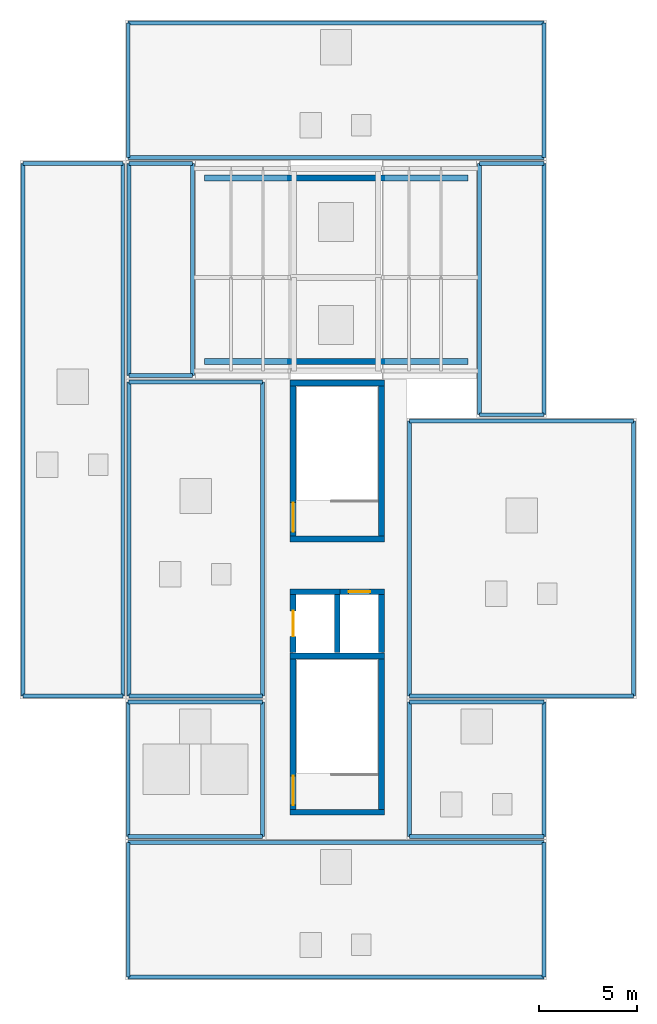
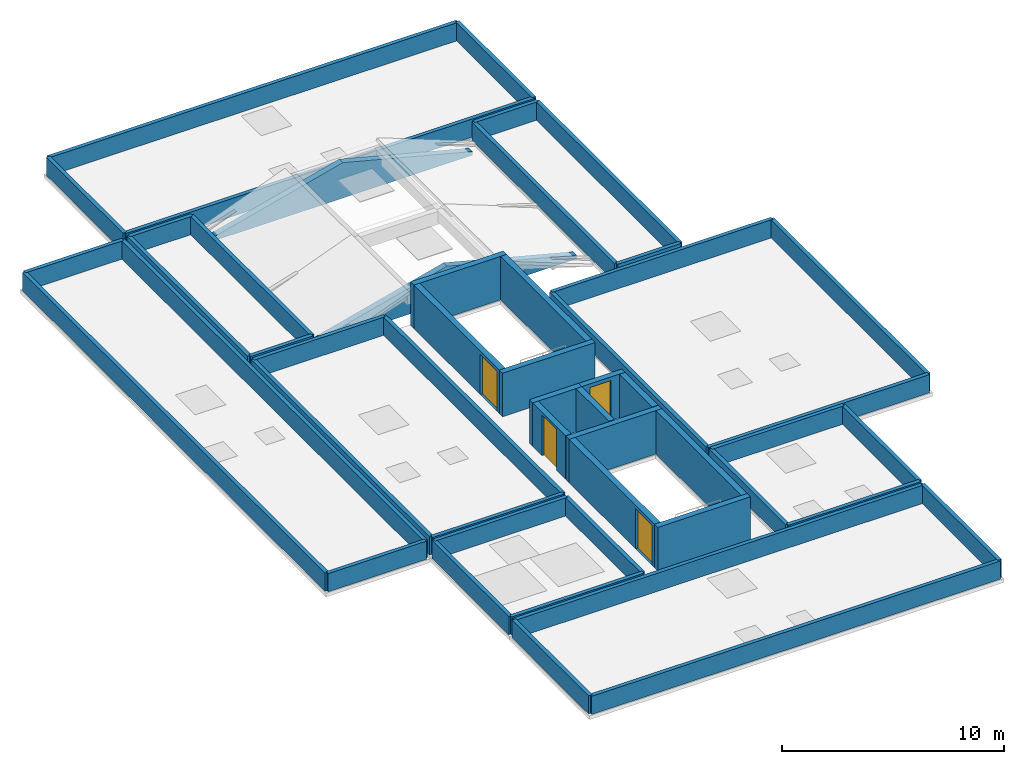
# One storey, part 4 of 5: 51 walls, 4 doors, 4 openings.
"""IFC4 building model written with IfcOpenShell, lengths in metres."""

from ifc_helpers import new_model, si_unit, direction, frame, frame_2d, origin, place, context, subcontext, project, spatial, polyline, rectangle, outline, extrude, material, layer, layer_set, type_object, element, fill, save


model = new_model("IFC4")

# Units and contexts
model_context = context("Model", 3, precision=1e-05, world=origin(), true_north=direction((0.0, 1.0)))
body_context = subcontext(model_context, "Body", "Model", "MODEL_VIEW")
ifc_project = project(units=[si_unit("LENGTHUNIT", "METRE"), si_unit("AREAUNIT", "SQUARE_METRE"), si_unit("VOLUMEUNIT", "CUBIC_METRE"), si_unit("PLANEANGLEUNIT", "RADIAN"), si_unit("MASSUNIT", "GRAM", prefix="KILO")], contexts=[model_context])

# Site, building, storey
site_placement = place(None, origin())
site = spatial("IfcSite", under=ifc_project, at=site_placement, CompositionType="ELEMENT")
building_placement = place(site_placement, origin())
building = spatial("IfcBuilding", under=site, at=building_placement, Name="Alvorim Cloister Faculty of Sciences", CompositionType="ELEMENT")
storey_placement = place(building_placement, frame((0.0, 0.0, 33.300048828125)))
storey = spatial("IfcBuildingStorey", under=building, at=storey_placement, Name="RF", CompositionType="ELEMENT", Elevation=33.300048828125)

# Walls
ifc_material_1 = material(Name="Precast Concrete C40", Category="concrete")
ifc_layer_1 = layer(ifc_material_1, 0.320068359375)
ifc_layer_set_1 = layer_set([ifc_layer_1], Name="Precast Concrete C40")
wall_type_1 = type_object("IfcWallType", Name="WL-EXT-PC-320", PredefinedType="SOLIDWALL", material=ifc_layer_set_1)
for number, where, z_axis, x_axis, name in (
    (1, (11.25, 38.89990234375, 0.0), (0.0, 0.0, 1.0), (1.0, 0.0, 0.0), "Research Crown South Gothic Gable Tympanum WL-GBL-0250"),
    (2, (11.25, 48.300048828125, 0.0), (0.0, 0.0, 1.0), (1.0, 0.0, 0.0), "Research Crown North Gothic Gable Tympanum WL-GBL-0251"),
):
    element("IfcWall", number, at=place(storey_placement, frame(where, z_axis=z_axis, x_axis=x_axis)), inside=storey, type_object=wall_type_1, Name=name, PredefinedType="SOLIDWALL", context=body_context, shape_type="SweptSolid", body=[
        extrude(outline(polyline([(0.0, 0.0), (13.5, 0.0), (13.5, 0.199951171875), (6.75, 1.953125), (0.0, 0.199951171875), (0.0, 0.0)])), frame((0.0, 0.16015625, 0.0), z_axis=(0.0, -1.0, 0.0), x_axis=(1.0, 0.0, 0.0)), (0.0, 0.0, 1.0), 0.320068359375),
    ])
ifc_layer_2 = layer(ifc_material_1, 0.199951171875)
ifc_layer_set_2 = layer_set([ifc_layer_2], Name="Precast Concrete C40")
wall_type_2 = type_object("IfcWallType", Name="WL-PAR-200", PredefinedType="PARAPET", material=ifc_layer_set_2)
wall_1_placement = place(storey_placement, frame((28.64990234375, 7.35009765625, 0.099853515625), z_axis=(0.0, 0.0, 1.0), x_axis=(0.0, 1.0, 0.0)))
element("IfcWall", 3, at=wall_1_placement, inside=storey, type_object=wall_type_2, Name="RF-V5S Roof Parapet WL-PAR-0267", PredefinedType="PARAPET", context=body_context, shape_type="SweptSolid", body=[
    extrude(rectangle(XDim=6.89990234375, YDim=0.199951171875, at=frame_2d((3.449951171875, 0.0))), origin(), (0.0, 0.0, 1.0), 1.0),
])
wall_2_placement = place(storey_placement, frame((28.64990234375, 14.25, 0.099853515625), z_axis=(0.0, 0.0, 1.0), x_axis=(-1.0, 0.0, 0.0)))
element("IfcWall", 4, at=wall_2_placement, inside=storey, type_object=wall_type_2, Name="RF-V5S Roof Parapet WL-PAR-0268", PredefinedType="PARAPET", context=body_context, shape_type="SweptSolid", body=[
    extrude(rectangle(XDim=21.2998046875, YDim=0.199951171875, at=frame_2d((10.64990234375, 0.0))), origin(), (0.0, 0.0, 1.0), 1.0),
])
wall_3_placement = place(storey_placement, frame((7.35009765625, 14.25, 0.099853515625), z_axis=(0.0, 0.0, 1.0), x_axis=(0.0, -1.0, 0.0)))
element("IfcWall", 5, at=wall_3_placement, inside=storey, type_object=wall_type_2, Name="RF-V5S Roof Parapet WL-PAR-0269", PredefinedType="PARAPET", context=body_context, shape_type="SweptSolid", body=[
    extrude(rectangle(XDim=6.89990234375, YDim=0.199951171875, at=frame_2d((3.449951171875, 0.0))), origin(), (0.0, 0.0, 1.0), 1.0),
])
wall_4_placement = place(storey_placement, frame((7.35009765625, 7.35009765625, 0.099853515625), z_axis=(0.0, 0.0, 1.0), x_axis=(1.0, 0.0, 0.0)))
element("IfcWall", 6, at=wall_4_placement, inside=storey, type_object=wall_type_2, Name="RF-V5S Roof Parapet WL-PAR-0270", PredefinedType="PARAPET", context=body_context, shape_type="SweptSolid", body=[
    extrude(rectangle(XDim=21.2998046875, YDim=0.199951171875, at=frame_2d((10.64990234375, 0.0))), origin(), (0.0, 0.0, 1.0), 1.0),
])
wall_5_placement = place(storey_placement, frame((14.22998046875, 14.550048828125, 0.099853515625), z_axis=(0.0, 0.0, 1.0), x_axis=(0.0, 1.0, 0.0)))
element("IfcWall", 7, at=wall_5_placement, inside=storey, type_object=wall_type_2, Name="RF-ATR-SLOT Roof Parapet WL-PAR-0271", PredefinedType="PARAPET", context=body_context, shape_type="SweptSolid", body=[
    extrude(rectangle(XDim=6.89990234375, YDim=0.199951171875, at=frame_2d((3.449951171875, 0.0))), origin(), (0.0, 0.0, 1.0), 1.0),
])
wall_6_placement = place(storey_placement, frame((14.22998046875, 21.449951171875, 0.099853515625), z_axis=(0.0, 0.0, 1.0), x_axis=(-1.0, 0.0, 0.0)))
element("IfcWall", 8, at=wall_6_placement, inside=storey, type_object=wall_type_2, Name="RF-ATR-SLOT Roof Parapet WL-PAR-0272", PredefinedType="PARAPET", context=body_context, shape_type="SweptSolid", body=[
    extrude(rectangle(XDim=6.8798828125, YDim=0.199951171875, at=frame_2d((3.43994140625, 0.0))), origin(), (0.0, 0.0, 1.0), 1.0),
])
wall_7_placement = place(storey_placement, frame((7.35009765625, 21.449951171875, 0.099853515625), z_axis=(0.0, 0.0, 1.0), x_axis=(0.0, -1.0, 0.0)))
element("IfcWall", 9, at=wall_7_placement, inside=storey, type_object=wall_type_2, Name="RF-ATR-SLOT Roof Parapet WL-PAR-0273", PredefinedType="PARAPET", context=body_context, shape_type="SweptSolid", body=[
    extrude(rectangle(XDim=6.89990234375, YDim=0.199951171875, at=frame_2d((3.449951171875, 0.0))), origin(), (0.0, 0.0, 1.0), 1.0),
])
wall_8_placement = place(storey_placement, frame((7.35009765625, 14.550048828125, 0.099853515625), z_axis=(0.0, 0.0, 1.0), x_axis=(1.0, 0.0, 0.0)))
element("IfcWall", 10, at=wall_8_placement, inside=storey, type_object=wall_type_2, Name="RF-ATR-SLOT Roof Parapet WL-PAR-0274", PredefinedType="PARAPET", context=body_context, shape_type="SweptSolid", body=[
    extrude(rectangle(XDim=6.8798828125, YDim=0.199951171875, at=frame_2d((3.43994140625, 0.0))), origin(), (0.0, 0.0, 1.0), 1.0),
])
wall_9_placement = place(storey_placement, frame((28.64990234375, 14.550048828125, 0.099853515625), z_axis=(0.0, 0.0, 1.0), x_axis=(0.0, 1.0, 0.0)))
element("IfcWall", 11, at=wall_9_placement, inside=storey, type_object=wall_type_2, Name="RF-V5SE Roof Parapet WL-PAR-0275", PredefinedType="PARAPET", context=body_context, shape_type="SweptSolid", body=[
    extrude(rectangle(XDim=6.89990234375, YDim=0.199951171875, at=frame_2d((3.449951171875, 0.0))), origin(), (0.0, 0.0, 1.0), 1.0),
])
wall_10_placement = place(storey_placement, frame((28.64990234375, 21.449951171875, 0.099853515625), z_axis=(0.0, 0.0, 1.0), x_axis=(-1.0, 0.0, 0.0)))
element("IfcWall", 12, at=wall_10_placement, inside=storey, type_object=wall_type_2, Name="RF-V5SE Roof Parapet WL-PAR-0276", PredefinedType="PARAPET", context=body_context, shape_type="SweptSolid", body=[
    extrude(rectangle(XDim=6.8798828125, YDim=0.199951171875, at=frame_2d((3.43994140625, 0.0))), origin(), (0.0, 0.0, 1.0), 1.0),
])
wall_11_placement = place(storey_placement, frame((21.77001953125, 21.449951171875, 0.099853515625), z_axis=(0.0, 0.0, 1.0), x_axis=(0.0, -1.0, 0.0)))
element("IfcWall", 13, at=wall_11_placement, inside=storey, type_object=wall_type_2, Name="RF-V5SE Roof Parapet WL-PAR-0277", PredefinedType="PARAPET", context=body_context, shape_type="SweptSolid", body=[
    extrude(rectangle(XDim=6.89990234375, YDim=0.199951171875, at=frame_2d((3.449951171875, 0.0))), origin(), (0.0, 0.0, 1.0), 1.0),
])
wall_12_placement = place(storey_placement, frame((21.77001953125, 14.550048828125, 0.099853515625), z_axis=(0.0, 0.0, 1.0), x_axis=(1.0, 0.0, 0.0)))
element("IfcWall", 14, at=wall_12_placement, inside=storey, type_object=wall_type_2, Name="RF-V5SE Roof Parapet WL-PAR-0278", PredefinedType="PARAPET", context=body_context, shape_type="SweptSolid", body=[
    extrude(rectangle(XDim=6.8798828125, YDim=0.199951171875, at=frame_2d((3.43994140625, 0.0))), origin(), (0.0, 0.0, 1.0), 1.0),
])
wall_13_placement = place(storey_placement, frame((7.070068359375, 21.75, 0.010009765625), z_axis=(0.0, 0.0, 1.0), x_axis=(0.0, 1.0, 0.0)))
element("IfcWall", 15, at=wall_13_placement, inside=storey, type_object=wall_type_2, Name="RF-V5W Roof Parapet WL-PAR-0279", PredefinedType="PARAPET", context=body_context, shape_type="SweptSolid", body=[
    extrude(rectangle(XDim=27.300048828125, YDim=0.199951171875, at=frame_2d((13.64990234375, 0.0))), origin(), (0.0, 0.0, 1.0), 1.0),
])
wall_14_placement = place(storey_placement, frame((7.070068359375, 49.050048828125, 0.010009765625), z_axis=(0.0, 0.0, 1.0), x_axis=(-1.0, 0.0, 0.0)))
element("IfcWall", 16, at=wall_14_placement, inside=storey, type_object=wall_type_2, Name="RF-V5W Roof Parapet WL-PAR-0280", PredefinedType="PARAPET", context=body_context, shape_type="SweptSolid", body=[
    extrude(rectangle(XDim=5.1201171875, YDim=0.199951171875, at=frame_2d((2.56005859375, 0.0))), origin(), (0.0, 0.0, 1.0), 1.0),
])
wall_15_placement = place(storey_placement, frame((1.949951171875, 49.050048828125, 0.010009765625), z_axis=(0.0, 0.0, 1.0), x_axis=(0.0, -1.0, 0.0)))
element("IfcWall", 17, at=wall_15_placement, inside=storey, type_object=wall_type_2, Name="RF-V5W Roof Parapet WL-PAR-0281", PredefinedType="PARAPET", context=body_context, shape_type="SweptSolid", body=[
    extrude(rectangle(XDim=27.300048828125, YDim=0.199951171875, at=frame_2d((13.64990234375, 0.0))), origin(), (0.0, 0.0, 1.0), 1.0),
])
wall_16_placement = place(storey_placement, frame((1.949951171875, 21.75, 0.010009765625), z_axis=(0.0, 0.0, 1.0), x_axis=(1.0, 0.0, 0.0)))
element("IfcWall", 18, at=wall_16_placement, inside=storey, type_object=wall_type_2, Name="RF-V5W Roof Parapet WL-PAR-0282", PredefinedType="PARAPET", context=body_context, shape_type="SweptSolid", body=[
    extrude(rectangle(XDim=5.1201171875, YDim=0.199951171875, at=frame_2d((2.56005859375, 0.0))), origin(), (0.0, 0.0, 1.0), 1.0),
])
wall_17_placement = place(storey_placement, frame((10.64990234375, 38.169921875, 0.099853515625), z_axis=(0.0, 0.0, 1.0), x_axis=(0.0, 1.0, 0.0)))
element("IfcWall", 19, at=wall_17_placement, inside=storey, type_object=wall_type_2, Name="RF-V5WN Roof Parapet WL-PAR-0283", PredefinedType="PARAPET", context=body_context, shape_type="SweptSolid", body=[
    extrude(rectangle(XDim=10.880126953125, YDim=0.199951171875, at=frame_2d((5.43994140625, 0.0))), origin(), (0.0, 0.0, 1.0), 1.0),
])
wall_18_placement = place(storey_placement, frame((10.64990234375, 49.050048828125, 0.099853515625), z_axis=(0.0, 0.0, 1.0), x_axis=(-1.0, 0.0, 0.0)))
element("IfcWall", 20, at=wall_18_placement, inside=storey, type_object=wall_type_2, Name="RF-V5WN Roof Parapet WL-PAR-0284", PredefinedType="PARAPET", context=body_context, shape_type="SweptSolid", body=[
    extrude(rectangle(XDim=3.260009765625, YDim=0.199951171875, at=frame_2d((1.6298828125, 0.0))), origin(), (0.0, 0.0, 1.0), 1.0),
])
wall_19_placement = place(storey_placement, frame((7.389892578125, 49.050048828125, 0.099853515625), z_axis=(0.0, 0.0, 1.0), x_axis=(0.0, -1.0, 0.0)))
element("IfcWall", 21, at=wall_19_placement, inside=storey, type_object=wall_type_2, Name="RF-V5WN Roof Parapet WL-PAR-0285", PredefinedType="PARAPET", context=body_context, shape_type="SweptSolid", body=[
    extrude(rectangle(XDim=10.880126953125, YDim=0.199951171875, at=frame_2d((5.43994140625, 0.0))), origin(), (0.0, 0.0, 1.0), 1.0),
])
wall_20_placement = place(storey_placement, frame((7.389892578125, 38.169921875, 0.099853515625), z_axis=(0.0, 0.0, 1.0), x_axis=(1.0, 0.0, 0.0)))
element("IfcWall", 22, at=wall_20_placement, inside=storey, type_object=wall_type_2, Name="RF-V5WN Roof Parapet WL-PAR-0286", PredefinedType="PARAPET", context=body_context, shape_type="SweptSolid", body=[
    extrude(rectangle(XDim=3.260009765625, YDim=0.199951171875, at=frame_2d((1.6298828125, 0.0))), origin(), (0.0, 0.0, 1.0), 1.0),
])
wall_21_placement = place(storey_placement, frame((14.22998046875, 21.75, 0.099853515625), z_axis=(0.0, 0.0, 1.0), x_axis=(0.0, 1.0, 0.0)))
element("IfcWall", 23, at=wall_21_placement, inside=storey, type_object=wall_type_2, Name="RF-V5WC Roof Parapet WL-PAR-0287", PredefinedType="PARAPET", context=body_context, shape_type="SweptSolid", body=[
    extrude(rectangle(XDim=16.10009765625, YDim=0.199951171875, at=frame_2d((8.050048828125, 0.0))), origin(), (0.0, 0.0, 1.0), 1.0),
])
wall_22_placement = place(storey_placement, frame((14.22998046875, 37.85009765625, 0.099853515625), z_axis=(0.0, 0.0, 1.0), x_axis=(-1.0, 0.0, 0.0)))
element("IfcWall", 24, at=wall_22_placement, inside=storey, type_object=wall_type_2, Name="RF-V5WC Roof Parapet WL-PAR-0288", PredefinedType="PARAPET", context=body_context, shape_type="SweptSolid", body=[
    extrude(rectangle(XDim=6.840087890625, YDim=0.199951171875, at=frame_2d((3.419921875, 0.0))), origin(), (0.0, 0.0, 1.0), 1.0),
])
wall_23_placement = place(storey_placement, frame((7.389892578125, 37.85009765625, 0.099853515625), z_axis=(0.0, 0.0, 1.0), x_axis=(0.0, -1.0, 0.0)))
element("IfcWall", 25, at=wall_23_placement, inside=storey, type_object=wall_type_2, Name="RF-V5WC Roof Parapet WL-PAR-0289", PredefinedType="PARAPET", context=body_context, shape_type="SweptSolid", body=[
    extrude(rectangle(XDim=16.10009765625, YDim=0.199951171875, at=frame_2d((8.050048828125, 0.0))), origin(), (0.0, 0.0, 1.0), 1.0),
])
wall_24_placement = place(storey_placement, frame((7.389892578125, 21.75, 0.099853515625), z_axis=(0.0, 0.0, 1.0), x_axis=(1.0, 0.0, 0.0)))
element("IfcWall", 26, at=wall_24_placement, inside=storey, type_object=wall_type_2, Name="RF-V5WC Roof Parapet WL-PAR-0290", PredefinedType="PARAPET", context=body_context, shape_type="SweptSolid", body=[
    extrude(rectangle(XDim=6.840087890625, YDim=0.199951171875, at=frame_2d((3.419921875, 0.0))), origin(), (0.0, 0.0, 1.0), 1.0),
])
wall_25_placement = place(storey_placement, frame((28.64990234375, 49.35009765625, 0.099853515625), z_axis=(0.0, 0.0, 1.0), x_axis=(0.0, 1.0, 0.0)))
element("IfcWall", 27, at=wall_25_placement, inside=storey, type_object=wall_type_2, Name="RF-V5N Roof Parapet WL-PAR-0291", PredefinedType="PARAPET", context=body_context, shape_type="SweptSolid", body=[
    extrude(rectangle(XDim=6.89990234375, YDim=0.199951171875, at=frame_2d((3.449951171875, 0.0))), origin(), (0.0, 0.0, 1.0), 1.0),
])
wall_26_placement = place(storey_placement, frame((28.64990234375, 56.25, 0.099853515625), z_axis=(0.0, 0.0, 1.0), x_axis=(-1.0, 0.0, 0.0)))
element("IfcWall", 28, at=wall_26_placement, inside=storey, type_object=wall_type_2, Name="RF-V5N Roof Parapet WL-PAR-0292", PredefinedType="PARAPET", context=body_context, shape_type="SweptSolid", body=[
    extrude(rectangle(XDim=21.2998046875, YDim=0.199951171875, at=frame_2d((10.64990234375, 0.0))), origin(), (0.0, 0.0, 1.0), 1.0),
])
wall_27_placement = place(storey_placement, frame((7.35009765625, 56.25, 0.099853515625), z_axis=(0.0, 0.0, 1.0), x_axis=(0.0, -1.0, 0.0)))
element("IfcWall", 29, at=wall_27_placement, inside=storey, type_object=wall_type_2, Name="RF-V5N Roof Parapet WL-PAR-0293", PredefinedType="PARAPET", context=body_context, shape_type="SweptSolid", body=[
    extrude(rectangle(XDim=6.89990234375, YDim=0.199951171875, at=frame_2d((3.449951171875, 0.0))), origin(), (0.0, 0.0, 1.0), 1.0),
])
wall_28_placement = place(storey_placement, frame((7.35009765625, 49.35009765625, 0.099853515625), z_axis=(0.0, 0.0, 1.0), x_axis=(1.0, 0.0, 0.0)))
element("IfcWall", 30, at=wall_28_placement, inside=storey, type_object=wall_type_2, Name="RF-V5N Roof Parapet WL-PAR-0294", PredefinedType="PARAPET", context=body_context, shape_type="SweptSolid", body=[
    extrude(rectangle(XDim=21.2998046875, YDim=0.199951171875, at=frame_2d((10.64990234375, 0.0))), origin(), (0.0, 0.0, 1.0), 1.0),
])
wall_29_placement = place(storey_placement, frame((28.64990234375, 36.169921875, 0.099853515625), z_axis=(0.0, 0.0, 1.0), x_axis=(0.0, 1.0, 0.0)))
element("IfcWall", 31, at=wall_29_placement, inside=storey, type_object=wall_type_2, Name="RF-V5EC Roof Parapet WL-PAR-0295", PredefinedType="PARAPET", context=body_context, shape_type="SweptSolid", body=[
    extrude(rectangle(XDim=12.880126953125, YDim=0.199951171875, at=frame_2d((6.43994140625, 0.0))), origin(), (0.0, 0.0, 1.0), 1.0),
])
wall_30_placement = place(storey_placement, frame((28.64990234375, 49.050048828125, 0.099853515625), z_axis=(0.0, 0.0, 1.0), x_axis=(-1.0, 0.0, 0.0)))
element("IfcWall", 32, at=wall_30_placement, inside=storey, type_object=wall_type_2, Name="RF-V5EC Roof Parapet WL-PAR-0296", PredefinedType="PARAPET", context=body_context, shape_type="SweptSolid", body=[
    extrude(rectangle(XDim=3.2998046875, YDim=0.199951171875, at=frame_2d((1.64990234375, 0.0))), origin(), (0.0, 0.0, 1.0), 1.0),
])
wall_31_placement = place(storey_placement, frame((25.35009765625, 49.050048828125, 0.099853515625), z_axis=(0.0, 0.0, 1.0), x_axis=(0.0, -1.0, 0.0)))
element("IfcWall", 33, at=wall_31_placement, inside=storey, type_object=wall_type_2, Name="RF-V5EC Roof Parapet WL-PAR-0297", PredefinedType="PARAPET", context=body_context, shape_type="SweptSolid", body=[
    extrude(rectangle(XDim=12.880126953125, YDim=0.199951171875, at=frame_2d((6.43994140625, 0.0))), origin(), (0.0, 0.0, 1.0), 1.0),
])
wall_32_placement = place(storey_placement, frame((25.35009765625, 36.169921875, 0.099853515625), z_axis=(0.0, 0.0, 1.0), x_axis=(1.0, 0.0, 0.0)))
element("IfcWall", 34, at=wall_32_placement, inside=storey, type_object=wall_type_2, Name="RF-V5EC Roof Parapet WL-PAR-0298", PredefinedType="PARAPET", context=body_context, shape_type="SweptSolid", body=[
    extrude(rectangle(XDim=3.2998046875, YDim=0.199951171875, at=frame_2d((1.64990234375, 0.0))), origin(), (0.0, 0.0, 1.0), 1.0),
])
wall_33_placement = place(storey_placement, frame((33.25, 21.75, 0.010009765625), z_axis=(0.0, 0.0, 1.0), x_axis=(0.0, 1.0, 0.0)))
element("IfcWall", 35, at=wall_33_placement, inside=storey, type_object=wall_type_2, Name="RF-V5E Roof Parapet WL-PAR-0299", PredefinedType="PARAPET", context=body_context, shape_type="SweptSolid", body=[
    extrude(rectangle(XDim=14.10009765625, YDim=0.199951171875, at=frame_2d((7.050048828125, 0.0))), origin(), (0.0, 0.0, 1.0), 1.0),
])
wall_34_placement = place(storey_placement, frame((33.25, 35.85009765625, 0.010009765625), z_axis=(0.0, 0.0, 1.0), x_axis=(-1.0, 0.0, 0.0)))
element("IfcWall", 36, at=wall_34_placement, inside=storey, type_object=wall_type_2, Name="RF-V5E Roof Parapet WL-PAR-0300", PredefinedType="PARAPET", context=body_context, shape_type="SweptSolid", body=[
    extrude(rectangle(XDim=11.47998046875, YDim=0.199951171875, at=frame_2d((5.739990234375, 0.0))), origin(), (0.0, 0.0, 1.0), 1.0),
])
wall_35_placement = place(storey_placement, frame((21.77001953125, 35.85009765625, 0.010009765625), z_axis=(0.0, 0.0, 1.0), x_axis=(0.0, -1.0, 0.0)))
element("IfcWall", 37, at=wall_35_placement, inside=storey, type_object=wall_type_2, Name="RF-V5E Roof Parapet WL-PAR-0301", PredefinedType="PARAPET", context=body_context, shape_type="SweptSolid", body=[
    extrude(rectangle(XDim=14.10009765625, YDim=0.199951171875, at=frame_2d((7.050048828125, 0.0))), origin(), (0.0, 0.0, 1.0), 1.0),
])
wall_36_placement = place(storey_placement, frame((21.77001953125, 21.75, 0.010009765625), z_axis=(0.0, 0.0, 1.0), x_axis=(1.0, 0.0, 0.0)))
element("IfcWall", 38, at=wall_36_placement, inside=storey, type_object=wall_type_2, Name="RF-V5E Roof Parapet WL-PAR-0302", PredefinedType="PARAPET", context=body_context, shape_type="SweptSolid", body=[
    extrude(rectangle(XDim=11.47998046875, YDim=0.199951171875, at=frame_2d((5.739990234375, 0.0))), origin(), (0.0, 0.0, 1.0), 1.0),
])
ifc_material_2 = material(Name="Concrete C40", Category="concrete")
ifc_layer_3 = layer(ifc_material_2, 0.300048828125)
ifc_layer_set_3 = layer_set([ifc_layer_3], Name="Concrete C40")
wall_type_3 = type_object("IfcWallType", Name="WL-SHR-300", PredefinedType="SHEAR", material=ifc_layer_set_3)
for number, where, z_axis, x_axis, name in (
    (39, (15.64990234375, 15.800048828125, 0.0), (0.0, 0.0, 1.0), (1.0, 0.0, 0.0), "RF CORE K1 Shear Wall IWL-0041"),
    (40, (15.64990234375, 23.800048828125, 0.0), (0.0, 0.0, 1.0), (1.0, 0.0, 0.0), "RF CORE K1 Shear Wall IWL-0042"),
):
    element("IfcWall", number, at=place(storey_placement, frame(where, z_axis=z_axis, x_axis=x_axis)), inside=storey, type_object=wall_type_3, Name=name, PredefinedType="SHEAR", context=body_context, shape_type="SweptSolid", body=[
        extrude(rectangle(XDim=4.820068359375, YDim=0.300048828125, at=frame_2d((2.41015625, 0.0))), origin(), (0.0, 0.0, 1.0), 2.39990234375),
    ])

# Wall, opening, door
wall_37_placement = place(storey_placement, frame((15.800048828125, 15.949951171875, 0.0), z_axis=(0.0, 0.0, 1.0), x_axis=(0.0, 1.0, 0.0)))
wall_37 = element("IfcWall", 41, at=wall_37_placement, inside=storey, type_object=wall_type_3, Name="RF CORE K1 Shear Wall IWL-0043", PredefinedType="SHEAR", context=body_context, shape_type="SweptSolid", body=[
    extrude(rectangle(XDim=7.699951171875, YDim=0.300048828125, at=frame_2d((3.85009765625, 0.0))), origin(), (0.0, 0.0, 1.0), 2.39990234375),
])
opening_1_placement = place(wall_37_placement, frame((0.219970703125, 0.0, 0.0)))
opening_1 = element("IfcOpeningElement", 42, at=opening_1_placement, cuts=wall_37, Name="Opening SD-K1-RF", PredefinedType="OPENING", context=body_context, shape_type="SweptSolid", body=[
    extrude(rectangle(XDim=1.5, YDim=2.199951171875, at=frame_2d((0.75, 1.10009765625))), frame((0.0, 0.162109375, 0.0), z_axis=(0.0, -1.0, 0.0), x_axis=(1.0, 0.0, 0.0)), (0.0, 0.0, 1.0), 0.323974609375),
])
ifc_material_3 = material(Name="Galvanised Fire-Rated Steel", Category="steel")
door_type_1 = type_object("IfcDoorType", Name="DR-STR-1500x2200", OperationType="NOTDEFINED", PredefinedType="DOOR", material=ifc_material_3)
door_1_placement = place(opening_1_placement, origin())
door_1 = element("IfcDoor", 43, at=door_1_placement, inside=storey, type_object=door_type_1, Name="RF Stair ST-01 Fire Door SD-K1-RF", OperationType="DOUBLE_DOOR_SINGLE_SWING", OverallHeight=2.199951171875, OverallWidth=1.5, PredefinedType="DOOR", context=body_context, shape_type="SweptSolid", body=[
    extrude(rectangle(XDim=1.5, YDim=2.199951171875, at=frame_2d((0.75, 1.10009765625))), frame((0.0, 0.02490234375, 0.0), z_axis=(0.0, -1.0, 0.0), x_axis=(1.0, 0.0, 0.0)), (0.0, 0.0, 1.0), 0.050048828125),
])
fill(opening_1, door_1)

# Walls
wall_38_placement = place(storey_placement, frame((20.320068359375, 15.949951171875, 0.0), z_axis=(0.0, 0.0, 1.0), x_axis=(0.0, 1.0, 0.0)))
element("IfcWall", 44, at=wall_38_placement, inside=storey, type_object=wall_type_3, Name="RF CORE K1 Shear Wall IWL-0044", PredefinedType="SHEAR", context=body_context, shape_type="SweptSolid", body=[
    extrude(rectangle(XDim=7.699951171875, YDim=0.300048828125, at=frame_2d((3.85009765625, 0.0))), origin(), (0.0, 0.0, 1.0), 2.39990234375),
])
for number, where, z_axis, x_axis, name in (
    (45, (15.64990234375, 29.800048828125, 0.0), (0.0, 0.0, 1.0), (1.0, 0.0, 0.0), "RF CORE K2 Shear Wall IWL-0085"),
    (46, (15.64990234375, 37.800048828125, 0.0), (0.0, 0.0, 1.0), (1.0, 0.0, 0.0), "RF CORE K2 Shear Wall IWL-0086"),
):
    element("IfcWall", number, at=place(storey_placement, frame(where, z_axis=z_axis, x_axis=x_axis)), inside=storey, type_object=wall_type_3, Name=name, PredefinedType="SHEAR", context=body_context, shape_type="SweptSolid", body=[
        extrude(rectangle(XDim=4.820068359375, YDim=0.300048828125, at=frame_2d((2.41015625, 0.0))), origin(), (0.0, 0.0, 1.0), 2.39990234375),
    ])

# Wall, opening, door
wall_39_placement = place(storey_placement, frame((15.800048828125, 29.949951171875, 0.0), z_axis=(0.0, 0.0, 1.0), x_axis=(0.0, 1.0, 0.0)))
wall_39 = element("IfcWall", 47, at=wall_39_placement, inside=storey, type_object=wall_type_3, Name="RF CORE K2 Shear Wall IWL-0087", PredefinedType="SHEAR", context=body_context, shape_type="SweptSolid", body=[
    extrude(rectangle(XDim=7.699951171875, YDim=0.300048828125, at=frame_2d((3.85009765625, 0.0))), origin(), (0.0, 0.0, 1.0), 2.39990234375),
])
opening_2_placement = place(wall_39_placement, frame((0.219970703125, 0.0, 0.0)))
opening_2 = element("IfcOpeningElement", 48, at=opening_2_placement, cuts=wall_39, Name="Opening SD-K2-RF", PredefinedType="OPENING", context=body_context, shape_type="SweptSolid", body=[
    extrude(rectangle(XDim=1.5, YDim=2.199951171875, at=frame_2d((0.75, 1.10009765625))), frame((0.0, 0.162109375, 0.0), z_axis=(0.0, -1.0, 0.0), x_axis=(1.0, 0.0, 0.0)), (0.0, 0.0, 1.0), 0.323974609375),
])
door_2_placement = place(opening_2_placement, origin())
door_2 = element("IfcDoor", 49, at=door_2_placement, inside=storey, type_object=door_type_1, Name="RF Stair ST-02 Fire Door SD-K2-RF", OperationType="DOUBLE_DOOR_SINGLE_SWING", OverallHeight=2.199951171875, OverallWidth=1.5, PredefinedType="DOOR", context=body_context, shape_type="SweptSolid", body=[
    extrude(rectangle(XDim=1.5, YDim=2.199951171875, at=frame_2d((0.75, 1.10009765625))), frame((0.0, 0.02490234375, 0.0), z_axis=(0.0, -1.0, 0.0), x_axis=(1.0, 0.0, 0.0)), (0.0, 0.0, 1.0), 0.050048828125),
])
fill(opening_2, door_2)

# Walls
wall_40_placement = place(storey_placement, frame((20.320068359375, 29.949951171875, 0.0), z_axis=(0.0, 0.0, 1.0), x_axis=(0.0, 1.0, 0.0)))
element("IfcWall", 50, at=wall_40_placement, inside=storey, type_object=wall_type_3, Name="RF CORE K2 Shear Wall IWL-0088", PredefinedType="SHEAR", context=body_context, shape_type="SweptSolid", body=[
    extrude(rectangle(XDim=7.699951171875, YDim=0.300048828125, at=frame_2d((3.85009765625, 0.0))), origin(), (0.0, 0.0, 1.0), 2.39990234375),
])
wall_41_placement = place(storey_placement, frame((15.64990234375, 27.10009765625, 0.0), z_axis=(0.0, 0.0, 1.0), x_axis=(1.0, 0.0, 0.0)))
element("IfcWall", 51, at=wall_41_placement, inside=storey, type_object=wall_type_3, Name="RF Lift LF-01 Shaft Wall IWL-0263", PredefinedType="SHEAR", context=body_context, shape_type="SweptSolid", body=[
    extrude(rectangle(XDim=2.56005859375, YDim=0.300048828125, at=frame_2d((1.280029296875, 0.0))), origin(), (0.0, 0.0, 1.0), 2.39990234375),
])

# Wall, opening, door
wall_42_placement = place(storey_placement, frame((15.800048828125, 23.97998046875, 0.0), z_axis=(0.0, 0.0, 1.0), x_axis=(0.0, 1.0, 0.0)))
wall_42 = element("IfcWall", 52, at=wall_42_placement, inside=storey, type_object=wall_type_3, Name="RF Lift LF-01 Shaft Wall IWL-0264", PredefinedType="SHEAR", context=body_context, shape_type="SweptSolid", body=[
    extrude(rectangle(XDim=2.969970703125, YDim=0.300048828125, at=frame_2d((1.48486328125, 0.0))), origin(), (0.0, 0.0, 1.0), 2.39990234375),
])
opening_3_placement = place(wall_42_placement, frame((0.8349609375, 0.0, 0.0)))
opening_3 = element("IfcOpeningElement", 53, at=opening_3_placement, cuts=wall_42, Name="Opening LD-011", PredefinedType="OPENING", context=body_context, shape_type="SweptSolid", body=[
    extrude(rectangle(XDim=1.300048828125, YDim=2.25, at=frame_2d((0.64990234375, 1.125))), frame((0.0, 0.162109375, 0.0), z_axis=(0.0, -1.0, 0.0), x_axis=(1.0, 0.0, 0.0)), (0.0, 0.0, 1.0), 0.323974609375),
])
ifc_material_4 = material(Name="Brushed Stainless Steel", Category="steel")
door_type_2 = type_object("IfcDoorType", Name="DR-LFT-1300x2250", OperationType="NOTDEFINED", PredefinedType="DOOR", material=ifc_material_4)
door_3_placement = place(opening_3_placement, origin())
door_3 = element("IfcDoor", 54, at=door_3_placement, inside=storey, type_object=door_type_2, Name="RF Lift LF-01 Sliding Landing Door LD-011", OperationType="DOUBLE_DOOR_SLIDING", OverallHeight=2.25, OverallWidth=1.300048828125, PredefinedType="DOOR", context=body_context, shape_type="SweptSolid", body=[
    extrude(rectangle(XDim=1.300048828125, YDim=2.25, at=frame_2d((0.64990234375, 1.125))), frame((0.0, 0.02490234375, 0.0), z_axis=(0.0, -1.0, 0.0), x_axis=(1.0, 0.0, 0.0)), (0.0, 0.0, 1.0), 0.050048828125),
])
fill(opening_3, door_3)

# Wall
wall_43_placement = place(storey_placement, frame((18.06005859375, 23.97998046875, 0.0), z_axis=(0.0, 0.0, 1.0), x_axis=(0.0, 1.0, 0.0)))
element("IfcWall", 55, at=wall_43_placement, inside=storey, type_object=wall_type_3, Name="RF Lift LF-01 Shaft Wall IWL-0265", PredefinedType="SHEAR", context=body_context, shape_type="SweptSolid", body=[
    extrude(rectangle(XDim=2.969970703125, YDim=0.300048828125, at=frame_2d((1.48486328125, 0.0))), origin(), (0.0, 0.0, 1.0), 2.39990234375),
])

# Wall, opening, door
wall_44_placement = place(storey_placement, frame((17.909912109375, 27.10009765625, 0.0), z_axis=(0.0, 0.0, 1.0), x_axis=(1.0, 0.0, 0.0)))
wall_44 = element("IfcWall", 56, at=wall_44_placement, inside=storey, type_object=wall_type_3, Name="RF Lift LP-01 Shaft Wall IWL-0286", PredefinedType="SHEAR", context=body_context, shape_type="SweptSolid", body=[
    extrude(rectangle(XDim=2.56005859375, YDim=0.300048828125, at=frame_2d((1.280029296875, 0.0))), origin(), (0.0, 0.0, 1.0), 2.39990234375),
])
opening_4_placement = place(wall_44_placement, frame((0.72998046875, 0.0, 0.0)))
opening_4 = element("IfcOpeningElement", 57, at=opening_4_placement, cuts=wall_44, Name="Opening LD-022", PredefinedType="OPENING", context=body_context, shape_type="SweptSolid", body=[
    extrude(rectangle(XDim=1.10009765625, YDim=2.199951171875, at=frame_2d((0.550048828125, 1.10009765625))), frame((0.0, 0.162109375, 0.0), z_axis=(0.0, -1.0, 0.0), x_axis=(1.0, 0.0, 0.0)), (0.0, 0.0, 1.0), 0.323974609375),
])
door_type_3 = type_object("IfcDoorType", Name="DR-LFT-1100x2200", OperationType="NOTDEFINED", PredefinedType="DOOR", material=ifc_material_4)
door_4_placement = place(opening_4_placement, origin())
door_4 = element("IfcDoor", 58, at=door_4_placement, inside=storey, type_object=door_type_3, Name="RF Lift LP-01 Sliding Landing Door LD-022", OperationType="DOUBLE_DOOR_SLIDING", OverallHeight=2.199951171875, OverallWidth=1.10009765625, PredefinedType="DOOR", context=body_context, shape_type="SweptSolid", body=[
    extrude(rectangle(XDim=1.10009765625, YDim=2.199951171875, at=frame_2d((0.550048828125, 1.10009765625))), frame((0.0, 0.02490234375, 0.0), z_axis=(0.0, -1.0, 0.0), x_axis=(1.0, 0.0, 0.0)), (0.0, 0.0, 1.0), 0.050048828125),
])
fill(opening_4, door_4)

# Wall
wall_45_placement = place(storey_placement, frame((20.320068359375, 23.97998046875, 0.0), z_axis=(0.0, 0.0, 1.0), x_axis=(0.0, 1.0, 0.0)))
element("IfcWall", 59, at=wall_45_placement, inside=storey, type_object=wall_type_3, Name="RF Lift LP-01 Shaft Wall IWL-0287", PredefinedType="SHEAR", context=body_context, shape_type="SweptSolid", body=[
    extrude(rectangle(XDim=2.969970703125, YDim=0.300048828125, at=frame_2d((1.48486328125, 0.0))), origin(), (0.0, 0.0, 1.0), 2.39990234375),
])

save(model, "model.ifc")
